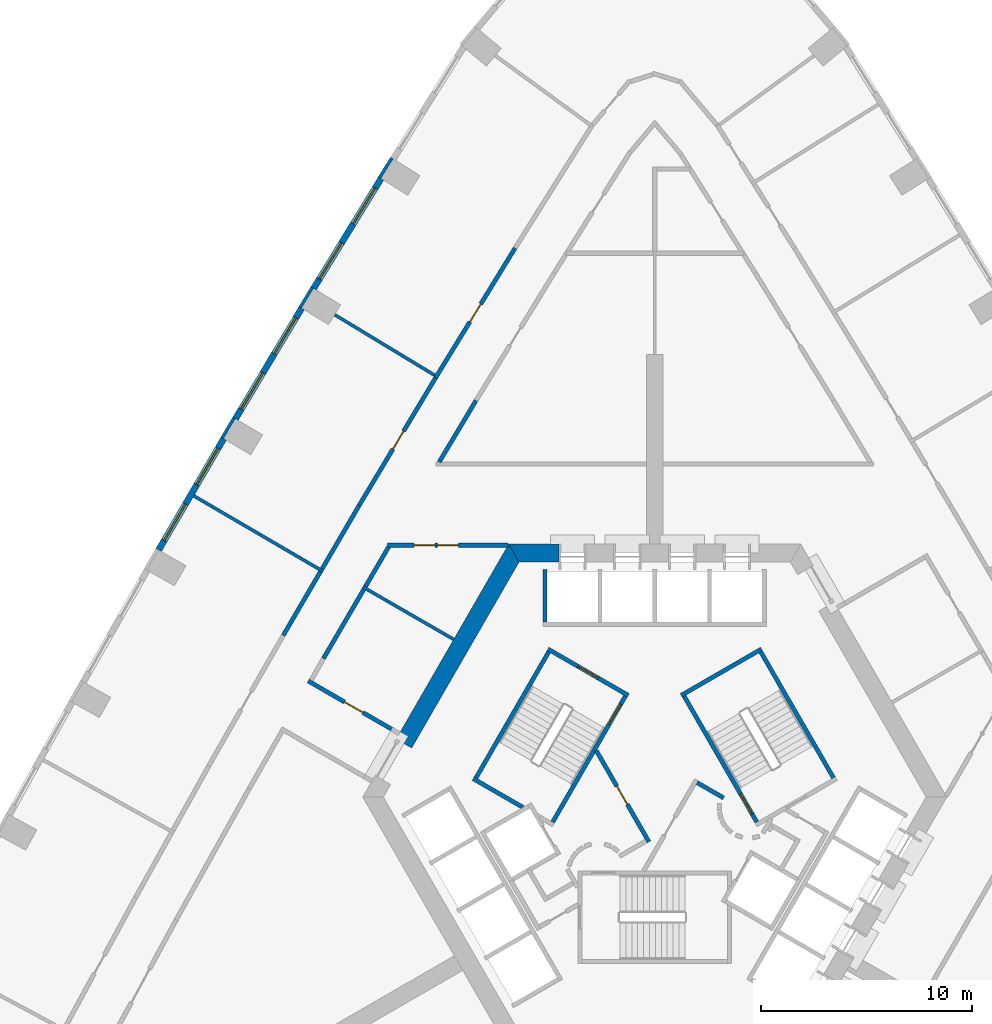
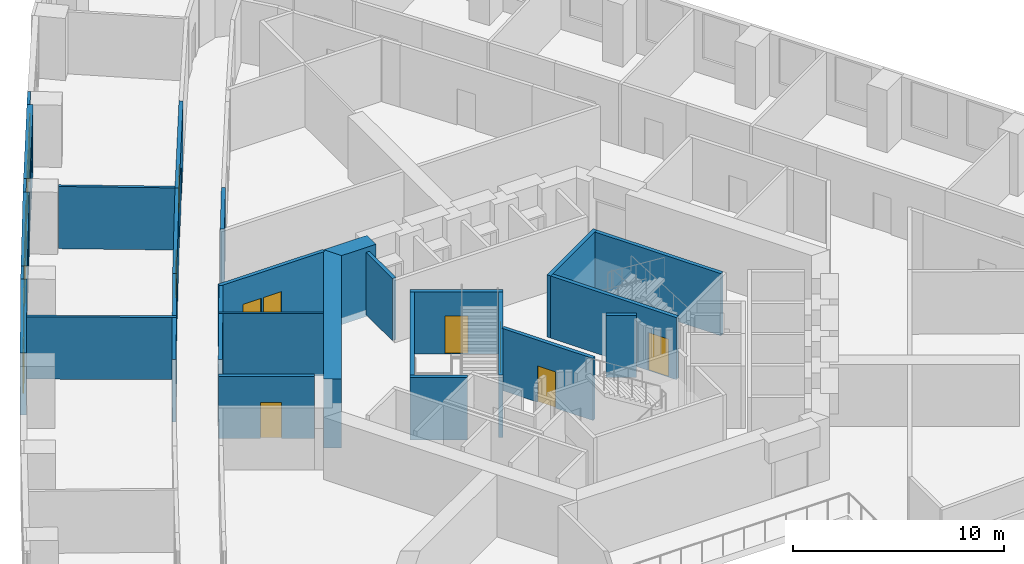
# One storey, part 8 of 15: 30 walls, 9 doors, 6 windows, 15 openings.
"""IFC4 building model written with IfcOpenShell, lengths in metres."""

from ifc_helpers import new_model, si_unit, direction, frame, frame_2d, origin, place, context, subcontext, project, spatial, polyline, rectangle, outline, extrude, material, layer, layer_set, type_object, element, fill, save


model = new_model("IFC4")

# Units and contexts
model_context = context("Model", 3, precision=1e-05, world=origin(), true_north=direction((0.0, 1.0)))
body_context = subcontext(model_context, "Body", "Model", "MODEL_VIEW")
ifc_project = project(units=[si_unit("LENGTHUNIT", "METRE"), si_unit("AREAUNIT", "SQUARE_METRE"), si_unit("VOLUMEUNIT", "CUBIC_METRE"), si_unit("PLANEANGLEUNIT", "RADIAN"), si_unit("MASSUNIT", "GRAM", prefix="KILO")], contexts=[model_context])

# Site, building, storey
site_placement = place(None, origin())
site = spatial("IfcSite", under=ifc_project, at=site_placement, CompositionType="ELEMENT")
building_placement = place(site_placement, origin())
building = spatial("IfcBuilding", under=site, at=building_placement, Name="Entoto Arch Interchange Tower", CompositionType="ELEMENT")
storey_placement = place(building_placement, frame((0.0, 0.0, 128.60009765625)))
storey = spatial("IfcBuildingStorey", under=building, at=storey_placement, Name="L28", CompositionType="ELEMENT", Elevation=128.60009765625)

# Walls
ifc_material_1 = material(Name="Concrete C60/75", Category="concrete")
ifc_layer_1 = layer(ifc_material_1, 0.85009765625)
ifc_layer_set_1 = layer_set([ifc_layer_1], Name="Concrete C60/75")
wall_type_1 = type_object("IfcWallType", Name="Core wall 850 C60/75", PredefinedType="SHEAR", material=ifc_layer_set_1)
wall_1_placement = place(storey_placement, frame((0.0, 0.0, -0.400146484375)))
element("IfcWall", 1, at=wall_1_placement, inside=storey, type_object=wall_type_1, Name="Core wall N L28", PredefinedType="SHEAR", context=body_context, shape_type="SweptSolid", body=[
    extrude(outline(polyline([(-4.550048828125, 13.64990234375), (-4.550048828125, 14.5), (-6.927978515625, 14.5), (-6.43701171875, 13.64990234375), (-4.550048828125, 13.64990234375)])), origin(), (0.0, 0.0, 1.0), 4.0),
])
wall_2_placement = place(storey_placement, frame((0.0, 0.0, -0.400146484375)))
element("IfcWall", 2, at=wall_2_placement, inside=storey, type_object=wall_type_1, Name="Core wall NW L28", PredefinedType="SHEAR", context=body_context, shape_type="SweptSolid", body=[
    extrude(outline(polyline([(-12.26708984375, 5.251953125), (-11.531005859375, 4.826904296875), (-6.43701171875, 13.64990234375), (-6.927978515625, 14.5), (-12.26708984375, 5.251953125)])), origin(), (0.0, 0.0, 1.0), 4.0),
])
ifc_material_2 = material(Name="Concrete C40/50", Category="concrete")
ifc_layer_2 = layer(ifc_material_2, 0.199951171875)
ifc_layer_set_2 = layer_set([ifc_layer_2], Name="Concrete C40/50")
wall_type_2 = type_object("IfcWallType", Name="LIFT SHAFT WALL 200", PredefinedType="STANDARD", material=ifc_layer_set_2)
wall_3_placement = place(storey_placement, frame((-5.199951171875, 10.800048828125, 0.0), z_axis=(0.0, 0.0, 1.0), x_axis=(0.0, 1.0, 0.0)))
element("IfcWall", 3, at=wall_3_placement, inside=storey, type_object=wall_type_2, Name="Shaft wall N3 cross 5", PredefinedType="STANDARD", context=body_context, shape_type="SweptSolid", body=[
    extrude(rectangle(XDim=2.5, YDim=0.199951171875, at=frame_2d((1.25, 0.0))), origin(), (0.0, 0.0, 1.0), 3.599853515625),
])
ifc_material_3 = material(Name="Gypsum board partition on steel studs", Category="steel")
ifc_layer_3 = layer(ifc_material_3, 0.14990234375)
ifc_layer_set_3 = layer_set([ifc_layer_3], Name="Gypsum board partition on steel studs")
wall_type_3 = type_object("IfcWallType", Name="PARTITION 150", PredefinedType="PARTITIONING", material=ifc_layer_set_3)
wall_4_placement = place(storey_placement, frame((-9.537109375, 9.98095703125, 0.0), z_axis=(0.0, 0.0, 1.0), x_axis=(-0.866035377451, 0.499982724704, 0.0)))
element("IfcWall", 4, at=wall_4_placement, inside=storey, type_object=wall_type_3, Name="wall:L28:p095", PredefinedType="PARTITIONING", context=body_context, shape_type="SweptSolid", body=[
    extrude(rectangle(XDim=4.980224609375, YDim=0.14990234375, at=frame_2d((2.490234375, 0.0))), origin(), (0.0, 0.0, 1.0), 3.599853515625),
])
wall_5_placement = place(storey_placement, frame((-10.44189453125, 22.512939453125, 0.0), z_axis=(0.0, 0.0, 1.0), x_axis=(-0.855343076014, 0.518061986943, 0.0)))
element("IfcWall", 5, at=wall_5_placement, inside=storey, type_object=wall_type_3, Name="wall:L28:p146", PredefinedType="PARTITIONING", context=body_context, shape_type="SweptSolid", body=[
    extrude(rectangle(XDim=5.5302734375, YDim=0.14990234375, at=frame_2d((2.76513671875, 0.0))), origin(), (0.0, 0.0, 1.0), 3.599853515625),
])
wall_6_placement = place(storey_placement, frame((-15.736083984375, 13.20703125, 0.0), z_axis=(0.0, 0.0, 1.0), x_axis=(-0.863454426155, 0.504426856892, 0.0)))
element("IfcWall", 6, at=wall_6_placement, inside=storey, type_object=wall_type_3, Name="wall:L28:p147", PredefinedType="PARTITIONING", context=body_context, shape_type="SweptSolid", body=[
    extrude(rectangle(XDim=7.099365234375, YDim=0.14990234375, at=frame_2d((3.5498046875, 0.0))), origin(), (0.0, 0.0, 1.0), 3.599853515625),
])
ifc_layer_4 = layer(ifc_material_3, 0.199951171875)
ifc_layer_set_4 = layer_set([ifc_layer_4], Name="Gypsum board partition on steel studs")
wall_type_4 = type_object("IfcWallType", Name="PARTITION 200", PredefinedType="PARTITIONING", material=ifc_layer_set_4)
wall_7_placement = place(storey_placement, frame((-12.6279296875, 14.364013671875, 0.0), z_axis=(0.0, 0.0, 1.0), x_axis=(-0.504457175129, -0.863436713639, 0.0)))
element("IfcWall", 7, at=wall_7_placement, inside=storey, type_object=wall_type_4, Name="wall:L28:p001", PredefinedType="PARTITIONING", context=body_context, shape_type="SweptSolid", body=[
    extrude(rectangle(XDim=2.175048828125, YDim=0.199951171875, at=frame_2d((1.08740234375, 0.0))), origin(), (0.0, 0.0, 1.0), 3.599853515625),
])
wall_8_placement = place(storey_placement, frame((-13.801025390625, 12.35595703125, 0.0), z_axis=(0.0, 0.0, 1.0), x_axis=(-0.504282474222, -0.863538757782, 0.0)))
element("IfcWall", 8, at=wall_8_placement, inside=storey, type_object=wall_type_4, Name="wall:L28:p002", PredefinedType="PARTITIONING", context=body_context, shape_type="SweptSolid", body=[
    extrude(rectangle(XDim=3.799560546875, YDim=0.199951171875, at=frame_2d((1.89990234375, 0.0))), origin(), (0.0, 0.0, 1.0), 3.599853515625),
])

# Wall, opening, door
wall_9_placement = place(storey_placement, frame((-16.44091796875, 8.008056640625, 0.0), z_axis=(0.0, 0.0, 1.0), x_axis=(0.866020923391, -0.500007760188, 0.0)))
wall_9 = element("IfcWall", 9, at=wall_9_placement, inside=storey, type_object=wall_type_4, Name="wall:L28:p004", PredefinedType="PARTITIONING", context=body_context, shape_type="SweptSolid", body=[
    extrude(rectangle(XDim=4.56787109375, YDim=0.199951171875, at=frame_2d((2.283935546875, 0.0))), origin(), (0.0, 0.0, 1.0), 3.599853515625),
])
opening_1_placement = place(wall_9_placement, frame((1.9970703125, 0.0, 0.0)))
opening_1 = element("IfcOpeningElement", 10, at=opening_1_placement, cuts=wall_9, Name="Opening L28-D32", PredefinedType="OPENING", context=body_context, shape_type="SweptSolid", body=[
    extrude(rectangle(XDim=1.0, YDim=2.10009765625, at=frame_2d((0.5, 1.050048828125))), frame((0.0, 0.10986328125, 0.0), z_axis=(0.0, -1.0, 0.0), x_axis=(1.0, 0.0, 0.0)), (0.0, 0.0, 1.0), 0.219970703125),
])
ifc_material_4 = material(Name="Timber door leaf in Steel S235 frame", Category="steel")
door_type_1 = type_object("IfcDoorType", Name="DOOR DS-10 1000x2100", OperationType="SINGLE_SWING_LEFT", PredefinedType="DOOR", material=ifc_material_4)
door_1_placement = place(opening_1_placement, origin())
door_1 = element("IfcDoor", 11, at=door_1_placement, inside=storey, type_object=door_type_1, Name="door:L28:32", OperationType="SINGLE_SWING_LEFT", OverallHeight=2.10009765625, OverallWidth=1.0, PredefinedType="DOOR", context=body_context, shape_type="SweptSolid", body=[
    extrude(rectangle(XDim=1.0, YDim=2.10009765625, at=frame_2d((0.5, 1.050048828125))), frame((0.0, 0.02490234375, 0.0), z_axis=(0.0, -1.0, 0.0), x_axis=(1.0, 0.0, 0.0)), (0.0, 0.0, 1.0), 0.050048828125),
])
fill(opening_1, door_1)

# Wall
wall_10_placement = place(storey_placement, frame((-8.47509765625, 21.321044921875, 0.0), z_axis=(0.0, 0.0, 1.0), x_axis=(-0.513592824646, -0.858034038062, 0.0)))
element("IfcWall", 12, at=wall_10_placement, inside=storey, type_object=wall_type_4, Name="wall:L28:p014", PredefinedType="PARTITIONING", context=body_context, shape_type="SweptSolid", body=[
    extrude(rectangle(XDim=3.420654296875, YDim=0.199951171875, at=frame_2d((1.71044921875, 0.0))), origin(), (0.0, 0.0, 1.0), 3.599853515625),
])

# Wall, opening, door
wall_11_placement = place(storey_placement, frame((-10.39599609375, 22.39697265625, 0.0), z_axis=(0.0, 0.0, 1.0), x_axis=(0.522695398968, 0.852519512913, 0.0)))
wall_11 = element("IfcWall", 13, at=wall_11_placement, inside=storey, type_object=wall_type_4, Name="wall:L28:p067", PredefinedType="PARTITIONING", context=body_context, shape_type="SweptSolid", body=[
    extrude(rectangle(XDim=7.212646484375, YDim=0.199951171875, at=frame_2d((3.6064453125, 0.0))), origin(), (0.0, 0.0, 1.0), 3.599853515625),
])
opening_2_placement = place(wall_11_placement, frame((3.10595703125, 0.0, 0.0)))
opening_2 = element("IfcOpeningElement", 14, at=opening_2_placement, cuts=wall_11, Name="Opening L28-D14", PredefinedType="OPENING", context=body_context, shape_type="SweptSolid", body=[
    extrude(rectangle(XDim=1.0, YDim=2.10009765625, at=frame_2d((0.5, 1.050048828125))), frame((0.0, 0.10986328125, 0.0), z_axis=(0.0, -1.0, 0.0), x_axis=(1.0, 0.0, 0.0)), (0.0, 0.0, 1.0), 0.219970703125),
])
door_2_placement = place(opening_2_placement, origin())
door_2 = element("IfcDoor", 15, at=door_2_placement, inside=storey, type_object=door_type_1, Name="door:L28:14", OperationType="SINGLE_SWING_LEFT", OverallHeight=2.10009765625, OverallWidth=1.0, PredefinedType="DOOR", context=body_context, shape_type="SweptSolid", body=[
    extrude(rectangle(XDim=1.0, YDim=2.10009765625, at=frame_2d((0.5, 1.050048828125))), frame((0.0, 0.02490234375, 0.0), z_axis=(0.0, -1.0, 0.0), x_axis=(1.0, 0.0, 0.0)), (0.0, 0.0, 1.0), 0.050048828125),
])
fill(opening_2, door_2)

# Wall
wall_12_placement = place(storey_placement, frame((-15.783935546875, 13.322021484375, 0.0), z_axis=(0.0, 0.0, 1.0), x_axis=(0.50424043703, 0.863563304954, 0.0)))
element("IfcWall", 16, at=wall_12_placement, inside=storey, type_object=wall_type_4, Name="wall:L28:p069", PredefinedType="PARTITIONING", context=body_context, shape_type="SweptSolid", body=[
    extrude(rectangle(XDim=3.492431640625, YDim=0.199951171875, at=frame_2d((1.74609375, 0.0))), origin(), (0.0, 0.0, 1.0), 3.599853515625),
])

# Wall, opening, door
wall_13_placement = place(storey_placement, frame((-14.02294921875, 16.337890625, 0.0), z_axis=(0.0, 0.0, 1.0), x_axis=(0.513773581048, 0.857925816966, 0.0)))
wall_13 = element("IfcWall", 17, at=wall_13_placement, inside=storey, type_object=wall_type_4, Name="wall:L28:p070", PredefinedType="PARTITIONING", context=body_context, shape_type="SweptSolid", body=[
    extrude(rectangle(XDim=7.061279296875, YDim=0.199951171875, at=frame_2d((3.53076171875, 0.0))), origin(), (0.0, 0.0, 1.0), 3.599853515625),
])
opening_3_placement = place(wall_13_placement, frame((3.10595703125, 0.0, 0.0)))
opening_3 = element("IfcOpeningElement", 18, at=opening_3_placement, cuts=wall_13, Name="Opening L28-D15", PredefinedType="OPENING", context=body_context, shape_type="SweptSolid", body=[
    extrude(rectangle(XDim=1.0, YDim=2.10009765625, at=frame_2d((0.5, 1.050048828125))), frame((0.0, 0.10986328125, 0.0), z_axis=(0.0, -1.0, 0.0), x_axis=(1.0, 0.0, 0.0)), (0.0, 0.0, 1.0), 0.219970703125),
])
door_3_placement = place(opening_3_placement, origin())
door_3 = element("IfcDoor", 19, at=door_3_placement, inside=storey, type_object=door_type_1, Name="door:L28:15", OperationType="SINGLE_SWING_LEFT", OverallHeight=2.10009765625, OverallWidth=1.0, PredefinedType="DOOR", context=body_context, shape_type="SweptSolid", body=[
    extrude(rectangle(XDim=1.0, YDim=2.10009765625, at=frame_2d((0.5, 1.050048828125))), frame((0.0, 0.02490234375, 0.0), z_axis=(0.0, -1.0, 0.0), x_axis=(1.0, 0.0, 0.0)), (0.0, 0.0, 1.0), 0.050048828125),
])
fill(opening_3, door_3)

# Wall
wall_14_placement = place(storey_placement, frame((-17.623046875, 10.175048828125, 0.0), z_axis=(0.0, 0.0, 1.0), x_axis=(0.504383407959, 0.863479807393, 0.0)))
element("IfcWall", 20, at=wall_14_placement, inside=storey, type_object=wall_type_4, Name="wall:L28:p073", PredefinedType="PARTITIONING", context=body_context, shape_type="SweptSolid", body=[
    extrude(rectangle(XDim=3.4951171875, YDim=0.199951171875, at=frame_2d((1.74755859375, 0.0))), origin(), (0.0, 0.0, 1.0), 3.599853515625),
])

# Wall, openings, doors
wall_15_placement = place(storey_placement, frame((-6.95703125, 14.449951171875, 0.0), z_axis=(0.0, 0.0, 1.0), x_axis=(-1.0, 0.0, 0.0)))
wall_15 = element("IfcWall", 21, at=wall_15_placement, inside=storey, type_object=wall_type_4, Name="wall:L28:p096", PredefinedType="PARTITIONING", context=body_context, shape_type="SweptSolid", body=[
    extrude(rectangle(XDim=5.720947265625, YDim=0.199951171875, at=frame_2d((2.8603515625, 0.0))), origin(), (0.0, 0.0, 1.0), 3.599853515625),
])
opening_4_placement = place(wall_15_placement, frame((2.360107421875, 0.0, 0.0)))
opening_4 = element("IfcOpeningElement", 22, at=opening_4_placement, cuts=wall_15, Name="Opening L28-D31", PredefinedType="OPENING", context=body_context, shape_type="SweptSolid", body=[
    extrude(rectangle(XDim=1.0, YDim=2.10009765625, at=frame_2d((0.5, 1.050048828125))), frame((0.0, 0.10986328125, 0.0), z_axis=(0.0, -1.0, 0.0), x_axis=(1.0, 0.0, 0.0)), (0.0, 0.0, 1.0), 0.219970703125),
])
opening_5_placement = place(wall_15_placement, frame((3.4599609375, 0.0, 0.0)))
opening_5 = element("IfcOpeningElement", 23, at=opening_5_placement, cuts=wall_15, Name="Opening L28-D40", PredefinedType="OPENING", context=body_context, shape_type="SweptSolid", body=[
    extrude(rectangle(XDim=1.0, YDim=2.10009765625, at=frame_2d((0.5, 1.050048828125))), frame((0.0, 0.10986328125, 0.0), z_axis=(0.0, -1.0, 0.0), x_axis=(1.0, 0.0, 0.0)), (0.0, 0.0, 1.0), 0.219970703125),
])
door_4_placement = place(opening_4_placement, origin())
door_4 = element("IfcDoor", 24, at=door_4_placement, inside=storey, type_object=door_type_1, Name="door:L28:31", OperationType="SINGLE_SWING_LEFT", OverallHeight=2.10009765625, OverallWidth=1.0, PredefinedType="DOOR", context=body_context, shape_type="SweptSolid", body=[
    extrude(rectangle(XDim=1.0, YDim=2.10009765625, at=frame_2d((0.5, 1.050048828125))), frame((0.0, 0.02490234375, 0.0), z_axis=(0.0, -1.0, 0.0), x_axis=(1.0, 0.0, 0.0)), (0.0, 0.0, 1.0), 0.050048828125),
])
fill(opening_4, door_4)
door_5_placement = place(opening_5_placement, origin())
door_5 = element("IfcDoor", 25, at=door_5_placement, inside=storey, type_object=door_type_1, Name="door:L28:40", OperationType="SINGLE_SWING_RIGHT", OverallHeight=2.10009765625, OverallWidth=1.0, PredefinedType="DOOR", context=body_context, shape_type="SweptSolid", body=[
    extrude(rectangle(XDim=1.0, YDim=2.10009765625, at=frame_2d((0.5, 1.050048828125))), frame((0.0, 0.02490234375, 0.0), z_axis=(0.0, -1.0, 0.0), x_axis=(1.0, 0.0, 0.0)), (0.0, 0.0, 1.0), 0.050048828125),
])
fill(opening_5, door_5)

# Wall
wall_16_placement = place(storey_placement, frame((2.011962890625, 3.18603515625, 0.0), z_axis=(0.0, 0.0, 1.0), x_axis=(0.865891012941, -0.500232699559, 0.0)))
element("IfcWall", 26, at=wall_16_placement, inside=storey, type_object=wall_type_4, Name="wall:L28:p100", PredefinedType="PARTITIONING", context=body_context, shape_type="SweptSolid", body=[
    extrude(rectangle(XDim=1.449462890625, YDim=0.199951171875, at=frame_2d((0.724609375, 0.0))), origin(), (0.0, 0.0, 1.0), 3.599853515625),
])

# Wall, opening, door
wall_17_placement = place(storey_placement, frame((-2.77099609375, 4.699951171875, 0.0), z_axis=(0.0, 0.0, 1.0), x_axis=(0.499969479948, -0.866043023828, 0.0)))
wall_17 = element("IfcWall", 27, at=wall_17_placement, inside=storey, type_object=wall_type_4, Name="wall:L28:p107", PredefinedType="PARTITIONING", context=body_context, shape_type="SweptSolid", body=[
    extrude(rectangle(XDim=4.990478515625, YDim=0.199951171875, at=frame_2d((2.4951171875, 0.0))), origin(), (0.0, 0.0, 1.0), 3.599853515625),
])
opening_6_placement = place(wall_17_placement, frame((1.945068359375, 0.0, 0.0)))
opening_6 = element("IfcOpeningElement", 28, at=opening_6_placement, cuts=wall_17, Name="Opening L28-D36", PredefinedType="OPENING", context=body_context, shape_type="SweptSolid", body=[
    extrude(rectangle(XDim=1.0, YDim=2.10009765625, at=frame_2d((0.5, 1.050048828125))), frame((0.0, 0.10986328125, 0.0), z_axis=(0.0, -1.0, 0.0), x_axis=(1.0, 0.0, 0.0)), (0.0, 0.0, 1.0), 0.219970703125),
])
ifc_material_5 = material(Name="Fire-rated Steel S235 door and frame", Category="steel")
door_type_2 = type_object("IfcDoorType", Name="DOOR FD-10 1000x2100", OperationType="SINGLE_SWING_LEFT", PredefinedType="DOOR", material=ifc_material_5)
door_6_placement = place(opening_6_placement, origin())
door_6 = element("IfcDoor", 29, at=door_6_placement, inside=storey, type_object=door_type_2, Name="door:L28:36", OperationType="SINGLE_SWING_RIGHT", OverallHeight=2.10009765625, OverallWidth=1.0, PredefinedType="DOOR", context=body_context, shape_type="SweptSolid", body=[
    extrude(rectangle(XDim=1.0, YDim=2.10009765625, at=frame_2d((0.5, 1.050048828125))), frame((0.0, 0.02490234375, 0.0), z_axis=(0.0, -1.0, 0.0), x_axis=(1.0, 0.0, 0.0)), (0.0, 0.0, 1.0), 0.050048828125),
])
fill(opening_6, door_6)

# Wall
ifc_layer_5 = layer(ifc_material_2, 0.199951171875)
ifc_layer_set_5 = layer_set([ifc_layer_5], Name="Concrete C40/50")
wall_type_5 = type_object("IfcWallType", Name="STAIR ENCLOSURE WALL 200", PredefinedType="STANDARD", material=ifc_layer_set_5)
wall_18_placement = place(storey_placement, frame((1.256103515625, 7.323974609375, 0.0), z_axis=(0.0, 0.0, 1.0), x_axis=(0.866046073146, 0.499964197906, 0.0)))
element("IfcWall", 30, at=wall_18_placement, inside=storey, type_object=wall_type_5, Name="Stair wall ST-NE far", PredefinedType="STANDARD", context=body_context, shape_type="SweptSolid", body=[
    extrude(rectangle(XDim=4.400146484375, YDim=0.199951171875, at=frame_2d((2.2001953125, 0.0))), origin(), (0.0, 0.0, 1.0), 3.599853515625),
])

# Wall, opening, door
wall_19_placement = place(storey_placement, frame((4.843017578125, 1.31201171875, 0.0), z_axis=(0.0, 0.0, 1.0), x_axis=(-0.499963383562, 0.866046543262, 0.0)))
wall_19 = element("IfcWall", 31, at=wall_19_placement, inside=storey, type_object=wall_type_5, Name="Stair wall ST-NE hall", PredefinedType="STANDARD", context=body_context, shape_type="SweptSolid", body=[
    extrude(rectangle(XDim=6.900390625, YDim=0.199951171875, at=frame_2d((3.4501953125, 0.0))), origin(), (0.0, 0.0, 1.0), 3.599853515625),
])
opening_7_placement = place(wall_19_placement, frame((0.449951171875, 0.0, 0.0)))
opening_7 = element("IfcOpeningElement", 32, at=opening_7_placement, cuts=wall_19, Name="Opening SD-ST-NE-L28", PredefinedType="OPENING", context=body_context, shape_type="SweptSolid", body=[
    extrude(rectangle(XDim=1.10009765625, YDim=2.199951171875, at=frame_2d((0.550048828125, 1.10009765625))), frame((0.0, 0.10986328125, 0.0), z_axis=(0.0, -1.0, 0.0), x_axis=(1.0, 0.0, 0.0)), (0.0, 0.0, 1.0), 0.219970703125),
])
ifc_material_6 = material(Name="Steel S235", Category="steel")
door_type_3 = type_object("IfcDoorType", Name="STAIR DOOR SD1 1100x2200", OperationType="SINGLE_SWING_LEFT", PredefinedType="DOOR", material=ifc_material_6)
door_7_placement = place(opening_7_placement, origin())
door_7 = element("IfcDoor", 33, at=door_7_placement, inside=storey, type_object=door_type_3, Name="Stair door ST-NE L28", OperationType="SINGLE_SWING_LEFT", OverallHeight=2.199951171875, OverallWidth=1.10009765625, PredefinedType="DOOR", context=body_context, shape_type="SweptSolid", body=[
    extrude(rectangle(XDim=1.10009765625, YDim=2.199951171875, at=frame_2d((0.550048828125, 1.10009765625))), frame((0.0, 0.02490234375, 0.0), z_axis=(0.0, -1.0, 0.0), x_axis=(1.0, 0.0, 0.0)), (0.0, 0.0, 1.0), 0.050048828125),
])
fill(opening_7, door_7)

# Wall
wall_20_placement = place(storey_placement, frame((8.47998046875, 3.412109375, 0.0), z_axis=(0.0, 0.0, 1.0), x_axis=(-0.499978703459, 0.866037698999, 0.0)))
element("IfcWall", 34, at=wall_20_placement, inside=storey, type_object=wall_type_5, Name="Stair wall ST-NE back", PredefinedType="STANDARD", context=body_context, shape_type="SweptSolid", body=[
    extrude(rectangle(XDim=6.900146484375, YDim=0.199951171875, at=frame_2d((3.4501953125, 0.0))), origin(), (0.0, 0.0, 1.0), 3.599853515625),
])

# Wall, opening, door
wall_21_placement = place(storey_placement, frame((-1.256103515625, 7.323974609375, 0.0), z_axis=(0.0, 0.0, 1.0), x_axis=(-0.866046073146, 0.499964197906, 0.0)))
wall_21 = element("IfcWall", 35, at=wall_21_placement, inside=storey, type_object=wall_type_5, Name="Stair wall ST-NW near", PredefinedType="STANDARD", context=body_context, shape_type="SweptSolid", body=[
    extrude(rectangle(XDim=4.400146484375, YDim=0.199951171875, at=frame_2d((2.2001953125, 0.0))), origin(), (0.0, 0.0, 1.0), 3.599853515625),
])
opening_8_placement = place(wall_21_placement, frame((1.64990234375, 0.0, 0.0)))
opening_8 = element("IfcOpeningElement", 36, at=opening_8_placement, cuts=wall_21, Name="Opening SD-ST-NW-L28-E", PredefinedType="OPENING", context=body_context, shape_type="SweptSolid", body=[
    extrude(rectangle(XDim=1.10009765625, YDim=2.199951171875, at=frame_2d((0.550048828125, 1.10009765625))), frame((0.0, 0.10986328125, 0.0), z_axis=(0.0, -1.0, 0.0), x_axis=(1.0, 0.0, 0.0)), (0.0, 0.0, 1.0), 0.219970703125),
])
door_8_placement = place(opening_8_placement, origin())
door_8 = element("IfcDoor", 37, at=door_8_placement, inside=storey, type_object=door_type_3, Name="Stair door ST-NW L28 end", OperationType="SINGLE_SWING_LEFT", OverallHeight=2.199951171875, OverallWidth=1.10009765625, PredefinedType="DOOR", context=body_context, shape_type="SweptSolid", body=[
    extrude(rectangle(XDim=1.10009765625, YDim=2.199951171875, at=frame_2d((0.550048828125, 1.10009765625))), frame((0.0, 0.02490234375, 0.0), z_axis=(0.0, -1.0, 0.0), x_axis=(1.0, 0.0, 0.0)), (0.0, 0.0, 1.0), 0.050048828125),
])
fill(opening_8, door_8)

# Wall
wall_22_placement = place(storey_placement, frame((-6.25, 2.010009765625, 0.0), z_axis=(0.0, 0.0, 1.0), x_axis=(-0.86611865017, 0.499838457731, 0.0)))
element("IfcWall", 38, at=wall_22_placement, inside=storey, type_object=wall_type_5, Name="Stair wall ST-NW far", PredefinedType="STANDARD", context=body_context, shape_type="SweptSolid", body=[
    extrude(rectangle(XDim=2.73291015625, YDim=0.199951171875, at=frame_2d((1.366455078125, 0.0))), origin(), (0.0, 0.0, 1.0), 3.599853515625),
])

# Wall, opening, door
wall_23_placement = place(storey_placement, frame((-1.39306640625, 7.2880859375, 0.0), z_axis=(0.0, 0.0, 1.0), x_axis=(-0.499963383562, -0.866046543262, 0.0)))
wall_23 = element("IfcWall", 39, at=wall_23_placement, inside=storey, type_object=wall_type_5, Name="Stair wall ST-NW hall", PredefinedType="STANDARD", context=body_context, shape_type="SweptSolid", body=[
    extrude(rectangle(XDim=6.900390625, YDim=0.199951171875, at=frame_2d((3.4501953125, 0.0))), origin(), (0.0, 0.0, 1.0), 3.599853515625),
])
opening_9_placement = place(wall_23_placement, frame((0.449951171875, 0.0, 0.0)))
opening_9 = element("IfcOpeningElement", 40, at=opening_9_placement, cuts=wall_23, Name="Opening SD-ST-NW-L28", PredefinedType="OPENING", context=body_context, shape_type="SweptSolid", body=[
    extrude(rectangle(XDim=1.10009765625, YDim=2.199951171875, at=frame_2d((0.550048828125, 1.10009765625))), frame((0.0, 0.10986328125, 0.0), z_axis=(0.0, -1.0, 0.0), x_axis=(1.0, 0.0, 0.0)), (0.0, 0.0, 1.0), 0.219970703125),
])
door_9_placement = place(opening_9_placement, origin())
door_9 = element("IfcDoor", 41, at=door_9_placement, inside=storey, type_object=door_type_3, Name="Stair door ST-NW L28", OperationType="SINGLE_SWING_LEFT", OverallHeight=2.199951171875, OverallWidth=1.10009765625, PredefinedType="DOOR", context=body_context, shape_type="SweptSolid", body=[
    extrude(rectangle(XDim=1.10009765625, YDim=2.199951171875, at=frame_2d((0.550048828125, 1.10009765625))), frame((0.0, 0.02490234375, 0.0), z_axis=(0.0, -1.0, 0.0), x_axis=(1.0, 0.0, 0.0)), (0.0, 0.0, 1.0), 0.050048828125),
])
fill(opening_9, door_9)

# Wall
wall_24_placement = place(storey_placement, frame((-5.030029296875, 9.387939453125, 0.0), z_axis=(0.0, 0.0, 1.0), x_axis=(-0.499978703459, -0.866037698999, 0.0)))
element("IfcWall", 42, at=wall_24_placement, inside=storey, type_object=wall_type_5, Name="Stair wall ST-NW back", PredefinedType="STANDARD", context=body_context, shape_type="SweptSolid", body=[
    extrude(rectangle(XDim=6.900146484375, YDim=0.199951171875, at=frame_2d((3.4501953125, 0.0))), origin(), (0.0, 0.0, 1.0), 3.599853515625),
])

# Wall, openings, windows
ifc_material_7 = material(Name="Welded tuff (ignimbrite) cladding, warm buff", Category="masonry")
ifc_layer_6 = layer(ifc_material_7, 0.300048828125)
ifc_layer_set_6 = layer_set([ifc_layer_6], Name="Welded tuff (ignimbrite) cladding, warm buff")
wall_type_6 = type_object("IfcWallType", Name="STONE INFILL WALL 300", PredefinedType="STANDARD", material=ifc_layer_set_6)
wall_25_placement = place(storey_placement, frame((-12.989013671875, 31.845947265625, 0.0), z_axis=(0.0, 0.0, 1.0), x_axis=(-0.522757750181, -0.8524812811, 0.0)))
wall_25 = element("IfcWall", 43, at=wall_25_placement, inside=storey, type_object=wall_type_6, Name="Facade wall NW-02 L28", PredefinedType="STANDARD", context=body_context, shape_type="SweptSolid", body=[
    extrude(rectangle(XDim=6.11376953125, YDim=0.300048828125, at=frame_2d((3.056884765625, 0.0))), origin(), (0.0, 0.0, 1.0), 3.599853515625),
])
opening_10_placement = place(wall_25_placement, frame((0.528076171875, 0.0, 0.89990234375)))
opening_10 = element("IfcOpeningElement", 44, at=opening_10_placement, cuts=wall_25, Name="Opening WO-C", PredefinedType="OPENING", context=body_context, shape_type="SweptSolid", body=[
    extrude(rectangle(XDim=2.0, YDim=2.60009765625, at=frame_2d((1.0, 1.300048828125))), frame((0.0, 0.16015625, 0.0), z_axis=(0.0, -1.0, 0.0), x_axis=(1.0, 0.0, 0.0)), (0.0, 0.0, 1.0), 0.320068359375),
])
opening_11_placement = place(wall_25_placement, frame((3.5849609375, 0.0, 0.89990234375)))
opening_11 = element("IfcOpeningElement", 45, at=opening_11_placement, cuts=wall_25, Name="Opening WO-C", PredefinedType="OPENING", context=body_context, shape_type="SweptSolid", body=[
    extrude(rectangle(XDim=2.0, YDim=2.60009765625, at=frame_2d((1.0, 1.300048828125))), frame((0.0, 0.16015625, 0.0), z_axis=(0.0, -1.0, 0.0), x_axis=(1.0, 0.0, 0.0)), (0.0, 0.0, 1.0), 0.320068359375),
])
ifc_material_8 = material(Name="Clear glass, low-e double glazed", Category="glass")
window_type = type_object("IfcWindowType", Name="WINDOW WO-C 2000x2600", PartitioningType="DOUBLE_PANEL_VERTICAL", PredefinedType="WINDOW", material=ifc_material_8)
window_1_placement = place(opening_10_placement, origin())
window_1 = element("IfcWindow", 46, at=window_1_placement, inside=storey, type_object=window_type, Name="Window WO-C NW-02 L28", OverallHeight=2.60009765625, OverallWidth=2.0, PartitioningType="SINGLE_PANEL", PredefinedType="WINDOW", context=body_context, shape_type="SweptSolid", body=[
    extrude(rectangle(XDim=2.0, YDim=2.60009765625, at=frame_2d((1.0, 1.300048828125))), frame((0.0, 0.030029296875, 0.0), z_axis=(0.0, -1.0, 0.0), x_axis=(1.0, 0.0, 0.0)), (0.0, 0.0, 1.0), 0.06005859375),
])
fill(opening_10, window_1)
window_2_placement = place(opening_11_placement, origin())
window_2 = element("IfcWindow", 47, at=window_2_placement, inside=storey, type_object=window_type, Name="Window WO-C NW-02 L28", OverallHeight=2.60009765625, OverallWidth=2.0, PartitioningType="SINGLE_PANEL", PredefinedType="WINDOW", context=body_context, shape_type="SweptSolid", body=[
    extrude(rectangle(XDim=2.0, YDim=2.60009765625, at=frame_2d((1.0, 1.300048828125))), frame((0.0, 0.030029296875, 0.0), z_axis=(0.0, -1.0, 0.0), x_axis=(1.0, 0.0, 0.0)), (0.0, 0.0, 1.0), 0.06005859375),
])
fill(opening_11, window_2)

wall_26_placement = place(storey_placement, frame((-16.75390625, 25.695068359375, 0.0), z_axis=(0.0, 0.0, 1.0), x_axis=(-0.513708729904, -0.857964650099, 0.0)))
wall_26 = element("IfcWall", 48, at=wall_26_placement, inside=storey, type_object=wall_type_6, Name="Facade wall NW-03 L28", PredefinedType="STANDARD", context=body_context, shape_type="SweptSolid", body=[
    extrude(rectangle(XDim=6.114501953125, YDim=0.300048828125, at=frame_2d((3.05712890625, 0.0))), origin(), (0.0, 0.0, 1.0), 3.599853515625),
])
opening_12_placement = place(wall_26_placement, frame((0.529052734375, 0.0, 0.89990234375)))
opening_12 = element("IfcOpeningElement", 49, at=opening_12_placement, cuts=wall_26, Name="Opening WO-C", PredefinedType="OPENING", context=body_context, shape_type="SweptSolid", body=[
    extrude(rectangle(XDim=2.0, YDim=2.60009765625, at=frame_2d((1.0, 1.300048828125))), frame((0.0, 0.16015625, 0.0), z_axis=(0.0, -1.0, 0.0), x_axis=(1.0, 0.0, 0.0)), (0.0, 0.0, 1.0), 0.320068359375),
])
opening_13_placement = place(wall_26_placement, frame((3.5859375, 0.0, 0.89990234375)))
opening_13 = element("IfcOpeningElement", 50, at=opening_13_placement, cuts=wall_26, Name="Opening WO-C", PredefinedType="OPENING", context=body_context, shape_type="SweptSolid", body=[
    extrude(rectangle(XDim=2.0, YDim=2.60009765625, at=frame_2d((1.0, 1.300048828125))), frame((0.0, 0.16015625, 0.0), z_axis=(0.0, -1.0, 0.0), x_axis=(1.0, 0.0, 0.0)), (0.0, 0.0, 1.0), 0.320068359375),
])
window_3_placement = place(opening_12_placement, origin())
window_3 = element("IfcWindow", 51, at=window_3_placement, inside=storey, type_object=window_type, Name="Window WO-C NW-03 L28", OverallHeight=2.60009765625, OverallWidth=2.0, PartitioningType="SINGLE_PANEL", PredefinedType="WINDOW", context=body_context, shape_type="SweptSolid", body=[
    extrude(rectangle(XDim=2.0, YDim=2.60009765625, at=frame_2d((1.0, 1.300048828125))), frame((0.0, 0.030029296875, 0.0), z_axis=(0.0, -1.0, 0.0), x_axis=(1.0, 0.0, 0.0)), (0.0, 0.0, 1.0), 0.06005859375),
])
fill(opening_12, window_3)
window_4_placement = place(opening_13_placement, origin())
window_4 = element("IfcWindow", 52, at=window_4_placement, inside=storey, type_object=window_type, Name="Window WO-C NW-03 L28", OverallHeight=2.60009765625, OverallWidth=2.0, PartitioningType="SINGLE_PANEL", PredefinedType="WINDOW", context=body_context, shape_type="SweptSolid", body=[
    extrude(rectangle(XDim=2.0, YDim=2.60009765625, at=frame_2d((1.0, 1.300048828125))), frame((0.0, 0.030029296875, 0.0), z_axis=(0.0, -1.0, 0.0), x_axis=(1.0, 0.0, 0.0)), (0.0, 0.0, 1.0), 0.06005859375),
])
fill(opening_13, window_4)

wall_27_placement = place(storey_placement, frame((-20.4541015625, 19.5029296875, 0.0), z_axis=(0.0, 0.0, 1.0), x_axis=(-0.504441987427, -0.863445586775, 0.0)))
wall_27 = element("IfcWall", 53, at=wall_27_placement, inside=storey, type_object=wall_type_6, Name="Facade wall NW-04 L28", PredefinedType="STANDARD", context=body_context, shape_type="SweptSolid", body=[
    extrude(rectangle(XDim=6.11376953125, YDim=0.300048828125, at=frame_2d((3.056884765625, 0.0))), origin(), (0.0, 0.0, 1.0), 3.599853515625),
])
opening_14_placement = place(wall_27_placement, frame((0.528076171875, 0.0, 0.89990234375)))
opening_14 = element("IfcOpeningElement", 54, at=opening_14_placement, cuts=wall_27, Name="Opening WO-C", PredefinedType="OPENING", context=body_context, shape_type="SweptSolid", body=[
    extrude(rectangle(XDim=2.0, YDim=2.60009765625, at=frame_2d((1.0, 1.300048828125))), frame((0.0, 0.16015625, 0.0), z_axis=(0.0, -1.0, 0.0), x_axis=(1.0, 0.0, 0.0)), (0.0, 0.0, 1.0), 0.320068359375),
])
opening_15_placement = place(wall_27_placement, frame((3.5849609375, 0.0, 0.89990234375)))
opening_15 = element("IfcOpeningElement", 55, at=opening_15_placement, cuts=wall_27, Name="Opening WO-C", PredefinedType="OPENING", context=body_context, shape_type="SweptSolid", body=[
    extrude(rectangle(XDim=2.0, YDim=2.60009765625, at=frame_2d((1.0, 1.300048828125))), frame((0.0, 0.16015625, 0.0), z_axis=(0.0, -1.0, 0.0), x_axis=(1.0, 0.0, 0.0)), (0.0, 0.0, 1.0), 0.320068359375),
])
window_5_placement = place(opening_14_placement, origin())
window_5 = element("IfcWindow", 56, at=window_5_placement, inside=storey, type_object=window_type, Name="Window WO-C NW-04 L28", OverallHeight=2.60009765625, OverallWidth=2.0, PartitioningType="SINGLE_PANEL", PredefinedType="WINDOW", context=body_context, shape_type="SweptSolid", body=[
    extrude(rectangle(XDim=2.0, YDim=2.60009765625, at=frame_2d((1.0, 1.300048828125))), frame((0.0, 0.030029296875, 0.0), z_axis=(0.0, -1.0, 0.0), x_axis=(1.0, 0.0, 0.0)), (0.0, 0.0, 1.0), 0.06005859375),
])
fill(opening_14, window_5)
window_6_placement = place(opening_15_placement, origin())
window_6 = element("IfcWindow", 57, at=window_6_placement, inside=storey, type_object=window_type, Name="Window WO-C NW-04 L28", OverallHeight=2.60009765625, OverallWidth=2.0, PartitioningType="SINGLE_PANEL", PredefinedType="WINDOW", context=body_context, shape_type="SweptSolid", body=[
    extrude(rectangle(XDim=2.0, YDim=2.60009765625, at=frame_2d((1.0, 1.300048828125))), frame((0.0, 0.030029296875, 0.0), z_axis=(0.0, -1.0, 0.0), x_axis=(1.0, 0.0, 0.0)), (0.0, 0.0, 1.0), 0.06005859375),
])
fill(opening_15, window_6)

# Walls
ifc_layer_7 = layer(ifc_material_7, 0.14990234375)
ifc_layer_set_7 = layer_set([ifc_layer_7], Name="Welded tuff (ignimbrite) cladding, warm buff")
wall_type_7 = type_object("IfcWallType", Name="STONE PIER CLADDING 150", PredefinedType="STANDARD", material=ifc_layer_set_7)
wall_28_placement = place(storey_placement, frame((-12.47412109375, 32.821044921875, 0.0), z_axis=(0.0, 0.0, 1.0), x_axis=(-0.529719642941, -0.848172800721, 0.0)))
element("IfcWall", 58, at=wall_28_placement, inside=storey, type_object=wall_type_7, Name="Stone pier NW02 L28", PredefinedType="STANDARD", context=body_context, shape_type="SweptSolid", body=[
    extrude(rectangle(XDim=1.10009765625, YDim=0.14990234375, at=frame_2d((0.550048828125, 0.0))), origin(), (0.0, 0.0, 1.0), 3.599853515625),
])
wall_29_placement = place(storey_placement, frame((-16.25, 26.675048828125, 0.0), z_axis=(0.0, 0.0, 1.0), x_axis=(-0.519869515594, -0.854245682901, 0.0)))
element("IfcWall", 59, at=wall_29_placement, inside=storey, type_object=wall_type_7, Name="Stone pier NW03 L28", PredefinedType="STANDARD", context=body_context, shape_type="SweptSolid", body=[
    extrude(rectangle(XDim=1.100341796875, YDim=0.14990234375, at=frame_2d((0.55029296875, 0.0))), origin(), (0.0, 0.0, 1.0), 3.599853515625),
])
wall_30_placement = place(storey_placement, frame((-19.9609375, 20.489013671875, 0.0), z_axis=(0.0, 0.0, 1.0), x_axis=(-0.510082245696, -0.860125631885, 0.0)))
element("IfcWall", 60, at=wall_30_placement, inside=storey, type_object=wall_type_7, Name="Stone pier NW04 L28", PredefinedType="STANDARD", context=body_context, shape_type="SweptSolid", body=[
    extrude(rectangle(XDim=1.099853515625, YDim=0.14990234375, at=frame_2d((0.5498046875, 0.0))), origin(), (0.0, 0.0, 1.0), 3.599853515625),
])

save(model, "model.ifc")
